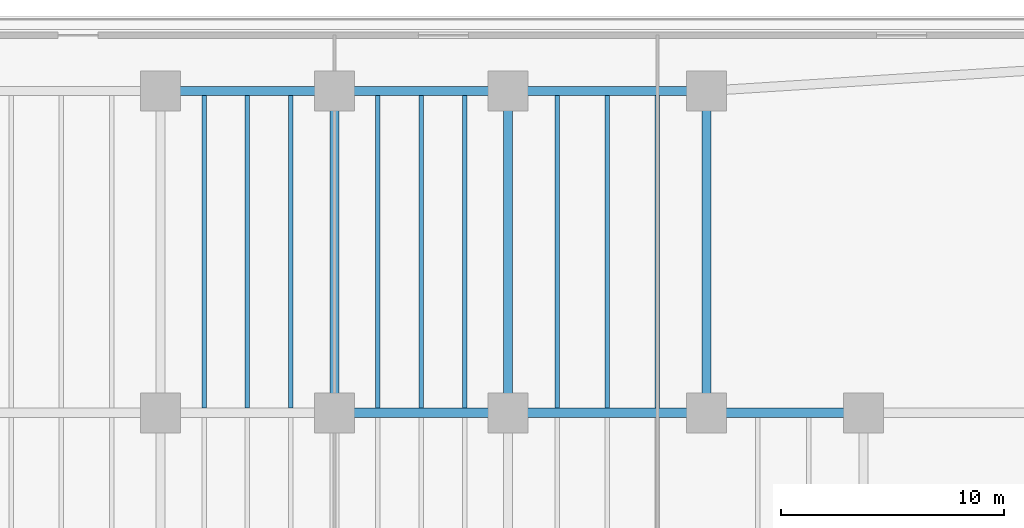
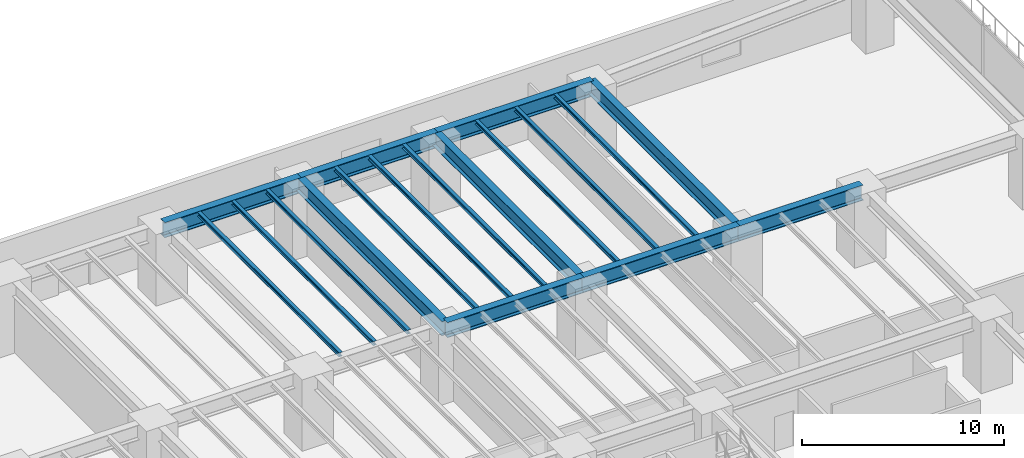
# One storey, part 6 of 28: 18 beams.
"""IFC4 building model written with IfcOpenShell, lengths in metres."""

from ifc_helpers import new_model, si_unit, direction, frame, origin, origin_2d, place, context, subcontext, project, spatial, i_section, extrude, material, material_profile, profile_set, type_object, element, save


model = new_model("IFC4")

# Units and contexts
model_context = context("Model", 3, precision=1e-05, world=origin(), true_north=direction((0.0, 1.0)))
body_context = subcontext(model_context, "Body", "Model", "MODEL_VIEW")
ifc_project = project(units=[si_unit("LENGTHUNIT", "METRE"), si_unit("AREAUNIT", "SQUARE_METRE"), si_unit("VOLUMEUNIT", "CUBIC_METRE"), si_unit("PLANEANGLEUNIT", "RADIAN"), si_unit("MASSUNIT", "GRAM", prefix="KILO")], contexts=[model_context])

# Site, building, storey
site_placement = place(None, origin())
site = spatial("IfcSite", under=ifc_project, at=site_placement, CompositionType="ELEMENT")
building_placement = place(site_placement, origin())
building = spatial("IfcBuilding", under=site, at=building_placement, Name="Qalmaran Belvedere Hotel", CompositionType="ELEMENT")
storey_placement = place(building_placement, frame((0.0, 0.0, 10.0)))
storey = spatial("IfcBuildingStorey", under=building, at=storey_placement, Name="L02", CompositionType="ELEMENT", Elevation=10.0)

# Beams
ifc_material = material(Name="Steel S355JR", Category="steel")
ifc_material_profile_1 = material_profile(ifc_material, i_section(OverallWidth=0.201904296875, OverallDepth=0.2470703125, WebThickness=0.00732421875, FlangeThickness=0.010986328125, FilletRadius=0.011962890625, at=origin_2d()), Name="W250X49")
ifc_profile_set_1 = profile_set([ifc_material_profile_1], Name="Steel S355JR")
beam_type_1 = type_object("IfcBeamType", Name="BM-JST-W250X49", PredefinedType="JOIST", material=ifc_profile_set_1)
for number, where, z_axis, x_axis, name in (
    (1, (31.14990234375, 33.2080078125, 4.176513671875), (0.0, 1.0, 0.0), (-1.0, 0.0, 0.0), "L02 Podium North-Ballroom Joist 062"),
    (2, (33.10009765625, 33.2080078125, 4.176513671875), (0.0, 1.0, 0.0), (-1.0, 0.0, 0.0), "L02 Podium North-Ballroom Joist 064"),
    (3, (35.050048828125, 33.2080078125, 4.176513671875), (0.0, 1.0, 0.0), (-1.0, 0.0, 0.0), "L02 Podium North-Ballroom Joist 066"),
    (4, (38.949951171875, 33.2080078125, 4.176513671875), (0.0, 1.0, 0.0), (-1.0, 0.0, 0.0), "L02 Podium North-Ballroom Joist 068"),
    (5, (40.89990234375, 33.2080078125, 4.176513671875), (0.0, 1.0, 0.0), (-1.0, 0.0, 0.0), "L02 Podium North-Ballroom Joist 070"),
    (6, (42.85009765625, 33.2080078125, 4.176513671875), (0.0, 1.0, 0.0), (-1.0, 0.0, 0.0), "L02 Podium North-Ballroom Joist 072"),
    (7, (47.0, 33.2080078125, 4.176513671875), (0.0, 1.0, 0.0), (-1.0, 0.0, 0.0), "L02 Podium North-Ballroom Joist 074"),
    (8, (49.25, 33.2080078125, 4.176513671875), (0.0, 1.0, 0.0), (-1.0, 0.0, 0.0), "L02 Podium North-Ballroom Joist 076"),
    (9, (51.5, 33.2080078125, 4.176513671875), (0.0, 1.0, 0.0), (-1.0, 0.0, 0.0), "L02 Podium North-Ballroom Joist 078"),
):
    element("IfcBeam", number, at=place(storey_placement, frame(where, z_axis=z_axis, x_axis=x_axis)), inside=storey, type_object=beam_type_1, Name=name, PredefinedType="JOIST", context=body_context, shape_type="SweptSolid", body=[
        extrude(i_section(OverallWidth=0.201904296875, OverallDepth=0.2470703125, WebThickness=0.00732421875, FlangeThickness=0.010986328125, FilletRadius=0.011962890625, at=origin_2d()), origin(), (0.0, 0.0, 1.0), 14.033935546875),
    ])
ifc_material_profile_2 = material_profile(ifc_material, i_section(OverallWidth=0.419921875, OverallDepth=0.9208984375, WebThickness=0.021240234375, FlangeThickness=0.03662109375, FilletRadius=0.02392578125, at=origin_2d()), Name="W920X387")
ifc_profile_set_2 = profile_set([ifc_material_profile_2], Name="Steel S355JR")
beam_type_2 = type_object("IfcBeamType", Name="BM-PG1-W920X387", PredefinedType="USERDEFINED", material=ifc_profile_set_2)
beam_1_placement = place(storey_placement, frame((37.0, 33.0, 3.839599609375), z_axis=(1.0, 0.0, 0.0), x_axis=(0.0, 1.0, 0.0)))
element("IfcBeam", 10, at=beam_1_placement, inside=storey, type_object=beam_type_2, Name="L02 Podium Primary Girder GX18", ObjectType="GIRDER", PredefinedType="USERDEFINED", context=body_context, shape_type="SweptSolid", body=[
    extrude(i_section(OverallWidth=0.419921875, OverallDepth=0.9208984375, WebThickness=0.021240234375, FlangeThickness=0.03662109375, FilletRadius=0.02392578125, at=origin_2d()), origin(), (0.0, 0.0, 1.0), 7.800048828125),
])
beam_2_placement = place(storey_placement, frame((44.800048828125, 33.0, 3.839599609375), z_axis=(1.0, 0.0, 0.0), x_axis=(0.0, 1.0, 0.0)))
element("IfcBeam", 11, at=beam_2_placement, inside=storey, type_object=beam_type_2, Name="L02 Podium Primary Girder GX19", ObjectType="GIRDER", PredefinedType="USERDEFINED", context=body_context, shape_type="SweptSolid", body=[
    extrude(i_section(OverallWidth=0.419921875, OverallDepth=0.9208984375, WebThickness=0.021240234375, FlangeThickness=0.03662109375, FilletRadius=0.02392578125, at=origin_2d()), origin(), (0.0, 0.0, 1.0), 8.89990234375),
])
beam_3_placement = place(storey_placement, frame((53.699951171875, 33.0, 3.839599609375), z_axis=(1.0, 0.0, 0.0), x_axis=(0.0, 1.0, 0.0)))
element("IfcBeam", 12, at=beam_3_placement, inside=storey, type_object=beam_type_2, Name="L02 Podium Primary Girder GX20", ObjectType="GIRDER", PredefinedType="USERDEFINED", context=body_context, shape_type="SweptSolid", body=[
    extrude(i_section(OverallWidth=0.419921875, OverallDepth=0.9208984375, WebThickness=0.021240234375, FlangeThickness=0.03662109375, FilletRadius=0.02392578125, at=origin_2d()), origin(), (0.0, 0.0, 1.0), 7.050048828125),
])
for number, where, z_axis, x_axis, name in (
    (13, (29.199951171875, 47.449951171875, 3.839599609375), (1.0, 0.0, 0.0), (0.0, 1.0, 0.0), "L02 Podium Primary Girder GX24"),
    (14, (37.0, 47.449951171875, 3.839599609375), (1.0, 0.0, 0.0), (0.0, 1.0, 0.0), "L02 Podium Primary Girder GX25"),
):
    element("IfcBeam", number, at=place(storey_placement, frame(where, z_axis=z_axis, x_axis=x_axis)), inside=storey, type_object=beam_type_2, Name=name, ObjectType="GIRDER", PredefinedType="USERDEFINED", context=body_context, shape_type="SweptSolid", body=[
        extrude(i_section(OverallWidth=0.419921875, OverallDepth=0.9208984375, WebThickness=0.021240234375, FlangeThickness=0.03662109375, FilletRadius=0.02392578125, at=origin_2d()), origin(), (0.0, 0.0, 1.0), 7.800048828125),
    ])
beam_4_placement = place(storey_placement, frame((44.800048828125, 47.449951171875, 3.839599609375), z_axis=(1.0, 0.0, 0.0), x_axis=(0.0, 1.0, 0.0)))
element("IfcBeam", 15, at=beam_4_placement, inside=storey, type_object=beam_type_2, Name="L02 Podium Primary Girder GX26", ObjectType="GIRDER", PredefinedType="USERDEFINED", context=body_context, shape_type="SweptSolid", body=[
    extrude(i_section(OverallWidth=0.419921875, OverallDepth=0.9208984375, WebThickness=0.021240234375, FlangeThickness=0.03662109375, FilletRadius=0.02392578125, at=origin_2d()), origin(), (0.0, 0.0, 1.0), 8.89990234375),
])
ifc_material_profile_3 = material_profile(ifc_material, i_section(OverallWidth=0.39990234375, OverallDepth=0.85498046875, WebThickness=0.018310546875, FlangeThickness=0.029296875, FilletRadius=0.02392578125, at=origin_2d()), Name="W840X299")
ifc_profile_set_3 = profile_set([ifc_material_profile_3], Name="Steel S355JR")
beam_type_3 = type_object("IfcBeamType", Name="BM-PG3-W840X299", PredefinedType="USERDEFINED", material=ifc_profile_set_3)
for number, where, z_axis, x_axis, name in (
    (16, (37.0, 33.0, 3.87255859375), (0.0, 1.0, 0.0), (-1.0, 0.0, 0.0), "L02 Podium Transverse Girder GY42"),
    (17, (44.800048828125, 33.0, 3.87255859375), (0.0, 1.0, 0.0), (-1.0, 0.0, 0.0), "L02 Podium Transverse Girder GY46"),
    (18, (53.699951171875, 33.0, 3.87255859375), (0.0, 1.0, 0.0), (-1.0, 0.0, 0.0), "L02 Podium Transverse Girder GY47"),
):
    element("IfcBeam", number, at=place(storey_placement, frame(where, z_axis=z_axis, x_axis=x_axis)), inside=storey, type_object=beam_type_3, Name=name, ObjectType="GIRDER", PredefinedType="USERDEFINED", context=body_context, shape_type="SweptSolid", body=[
        extrude(i_section(OverallWidth=0.39990234375, OverallDepth=0.85498046875, WebThickness=0.018310546875, FlangeThickness=0.029296875, FilletRadius=0.02392578125, at=origin_2d()), origin(), (0.0, 0.0, 1.0), 14.449951171875),
    ])

save(model, "model.ifc")
